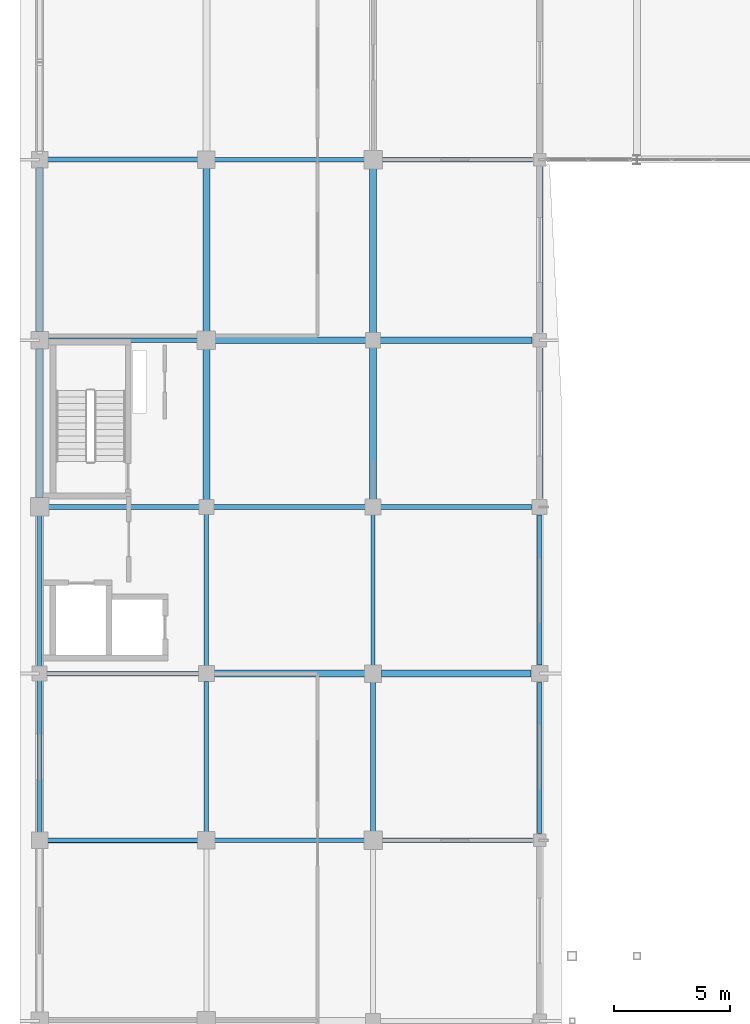
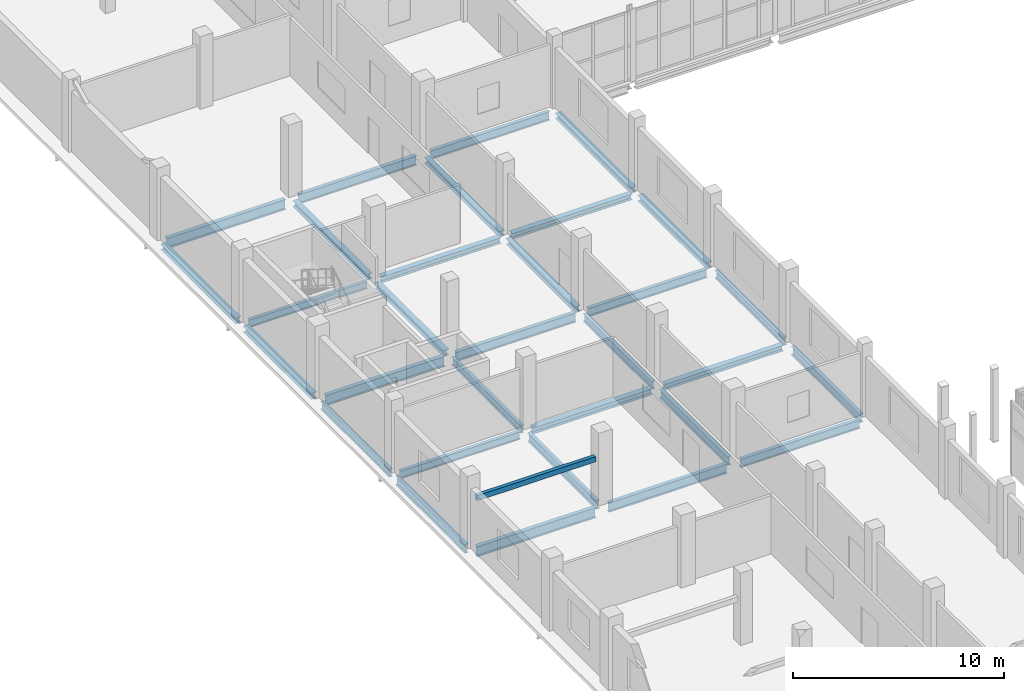
# One storey, part 53 of 121: 32 beams.
"""IFC4 building model written with IfcOpenShell, lengths in metres."""

from ifc_helpers import new_model, si_unit, direction, frame, origin, origin_2d, place, context, subcontext, project, spatial, rectangle, i_section, extrude, material, material_profile, profile_set, type_object, element, save


model = new_model("IFC4")

# Units and contexts
model_context = context("Model", 3, precision=1e-05, world=origin(), true_north=direction((0.0, 1.0)))
body_context = subcontext(model_context, "Body", "Model", "MODEL_VIEW")
ifc_project = project(units=[si_unit("LENGTHUNIT", "METRE"), si_unit("AREAUNIT", "SQUARE_METRE"), si_unit("VOLUMEUNIT", "CUBIC_METRE"), si_unit("PLANEANGLEUNIT", "RADIAN"), si_unit("MASSUNIT", "GRAM", prefix="KILO")], contexts=[model_context])

# Site, building, storey
site_placement = place(None, origin())
site = spatial("IfcSite", under=ifc_project, at=site_placement, CompositionType="ELEMENT")
building_placement = place(site_placement, origin())
building = spatial("IfcBuilding", under=site, at=building_placement, Name="Vinh Khe Railworks Police Headquarters", CompositionType="ELEMENT")
storey_placement = place(building_placement, frame((0.0, 0.0, 4.800048828125)))
storey = spatial("IfcBuildingStorey", under=building, at=storey_placement, Name="L01", CompositionType="ELEMENT", Elevation=4.800048828125)

# Beams
ifc_material_1 = material(Name="Concrete C35/45 (B35)", Category="concrete")
ifc_material_profile_1 = material_profile(ifc_material_1, rectangle(XDim=0.199951171875, YDim=0.300048828125, at=origin_2d()), Name="RC 200x300")
ifc_profile_set_1 = profile_set([ifc_material_profile_1], Name="Concrete C35/45 (B35)")
beam_type_1 = type_object("IfcBeamType", Name="RC Lintel Beam RC 200x300", PredefinedType="LINTEL", material=ifc_profile_set_1)
beam_1_placement = place(storey_placement, frame((0.929931640625, 66.60009765625, 2.550048828125), z_axis=(1.0, 0.0, 0.0), x_axis=(0.0, 1.0, 0.0)))
element("IfcBeam", 1, at=beam_1_placement, inside=storey, type_object=beam_type_1, Name="RC Portal Lintel 08", PredefinedType="LINTEL", context=body_context, shape_type="SweptSolid", body=[
    extrude(rectangle(XDim=0.199951171875, YDim=0.300048828125, at=origin_2d()), origin(), (0.0, 0.0, 1.0), 6.51513671875),
])
ifc_material_2 = material(Name="Steel S355JR", Category="steel")
ifc_material_profile_2 = material_profile(ifc_material_2, i_section(OverallWidth=0.300048828125, OverallDepth=0.330078125, WebThickness=0.009521484375, FlangeThickness=0.0166015625, FilletRadius=0.027099609375, at=origin_2d()), Name="HEA 340")
ifc_profile_set_2 = profile_set([ifc_material_profile_2], Name="Steel S355JR")
beam_type_2 = type_object("IfcBeamType", Name="Steel Girder HEA 340", PredefinedType="BEAM", material=ifc_profile_set_2)
beam_2_placement = place(storey_placement, frame((15.35498046875, 73.800048828125, -0.405029296875), z_axis=(1.0, 0.0, 0.0), x_axis=(0.0, 1.0, 0.0)))
element("IfcBeam", 2, at=beam_2_placement, inside=storey, type_object=beam_type_2, Name="Girder BM-L01-EW-SB-16-0470", PredefinedType="BEAM", context=body_context, shape_type="SweptSolid", body=[
    extrude(i_section(OverallWidth=0.300048828125, OverallDepth=0.330078125, WebThickness=0.009521484375, FlangeThickness=0.0166015625, FilletRadius=0.027099609375, at=origin_2d()), origin(), (0.0, 0.0, 1.0), 6.465087890625),
])
beam_3_placement = place(storey_placement, frame((15.304931640625, 88.199951171875, -0.405029296875), z_axis=(1.0, 0.0, 0.0), x_axis=(0.0, 1.0, 0.0)))
element("IfcBeam", 3, at=beam_3_placement, inside=storey, type_object=beam_type_2, Name="Girder BM-L01-EW-SB-16-0476", PredefinedType="BEAM", context=body_context, shape_type="SweptSolid", body=[
    extrude(i_section(OverallWidth=0.300048828125, OverallDepth=0.330078125, WebThickness=0.009521484375, FlangeThickness=0.0166015625, FilletRadius=0.027099609375, at=origin_2d()), origin(), (0.0, 0.0, 1.0), 6.565185546875),
])
beam_4_placement = place(storey_placement, frame((0.60009765625, 88.554931640625, -0.405029296875), z_axis=(0.0, 1.0, 0.0), x_axis=(-1.0, 0.0, 0.0)))
element("IfcBeam", 4, at=beam_4_placement, inside=storey, type_object=beam_type_2, Name="Girder BM-L01-NS-SB-16-0572", PredefinedType="BEAM", context=body_context, shape_type="SweptSolid", body=[
    extrude(i_section(OverallWidth=0.300048828125, OverallDepth=0.330078125, WebThickness=0.009521484375, FlangeThickness=0.0166015625, FilletRadius=0.027099609375, at=origin_2d()), origin(), (0.0, 0.0, 1.0), 7.114990234375),
])
beam_5_placement = place(storey_placement, frame((7.800048828125, 88.580078125, -0.405029296875), z_axis=(0.0, 1.0, 0.0), x_axis=(-1.0, 0.0, 0.0)))
element("IfcBeam", 5, at=beam_5_placement, inside=storey, type_object=beam_type_2, Name="Girder BM-L01-NS-SB-16-0590", PredefinedType="BEAM", context=body_context, shape_type="SweptSolid", body=[
    extrude(i_section(OverallWidth=0.300048828125, OverallDepth=0.330078125, WebThickness=0.009521484375, FlangeThickness=0.0166015625, FilletRadius=0.027099609375, at=origin_2d()), origin(), (0.0, 0.0, 1.0), 7.06494140625),
])
beam_6_placement = place(storey_placement, frame((15.0, 88.5048828125, -0.405029296875), z_axis=(0.0, 1.0, 0.0), x_axis=(-1.0, 0.0, 0.0)))
element("IfcBeam", 6, at=beam_6_placement, inside=storey, type_object=beam_type_2, Name="Girder BM-L01-NS-SB-16-0608", PredefinedType="BEAM", context=body_context, shape_type="SweptSolid", body=[
    extrude(i_section(OverallWidth=0.300048828125, OverallDepth=0.330078125, WebThickness=0.009521484375, FlangeThickness=0.0166015625, FilletRadius=0.027099609375, at=origin_2d()), origin(), (0.0, 0.0, 1.0), 7.115234375),
])
beam_7_placement = place(storey_placement, frame((22.199951171875, 88.530029296875, -0.405029296875), z_axis=(0.0, 1.0, 0.0), x_axis=(-1.0, 0.0, 0.0)))
element("IfcBeam", 7, at=beam_7_placement, inside=storey, type_object=beam_type_2, Name="Girder BM-L01-NS-SB-16-0626", PredefinedType="BEAM", context=body_context, shape_type="SweptSolid", body=[
    extrude(i_section(OverallWidth=0.300048828125, OverallDepth=0.330078125, WebThickness=0.009521484375, FlangeThickness=0.0166015625, FilletRadius=0.027099609375, at=origin_2d()), origin(), (0.0, 0.0, 1.0), 7.1650390625),
])
ifc_material_profile_3 = material_profile(ifc_material_2, i_section(OverallWidth=0.300048828125, OverallDepth=0.35009765625, WebThickness=0.010009765625, FlangeThickness=0.017578125, FilletRadius=0.027099609375, at=origin_2d()), Name="HEA 360")
ifc_profile_set_3 = profile_set([ifc_material_profile_3], Name="Steel S355JR")
beam_type_3 = type_object("IfcBeamType", Name="Steel Girder HEA 360", PredefinedType="BEAM", material=ifc_profile_set_3)
for number, where, z_axis, x_axis, name in (
    (8, (8.1298828125, 73.800048828125, -0.4150390625), (1.0, 0.0, 0.0), (0.0, 1.0, 0.0), "Girder BM-L01-EW-SB-15-0469"),
    (9, (8.179931640625, 88.199951171875, -0.4150390625), (1.0, 0.0, 0.0), (0.0, 1.0, 0.0), "Girder BM-L01-EW-SB-15-0475"),
):
    element("IfcBeam", number, at=place(storey_placement, frame(where, z_axis=z_axis, x_axis=x_axis)), inside=storey, type_object=beam_type_3, Name=name, PredefinedType="BEAM", context=body_context, shape_type="SweptSolid", body=[
        extrude(i_section(OverallWidth=0.300048828125, OverallDepth=0.35009765625, WebThickness=0.010009765625, FlangeThickness=0.017578125, FilletRadius=0.027099609375, at=origin_2d()), origin(), (0.0, 0.0, 1.0), 6.51513671875),
    ])
beam_8_placement = place(storey_placement, frame((0.60009765625, 81.3798828125, -0.4150390625), z_axis=(0.0, 1.0, 0.0), x_axis=(-1.0, 0.0, 0.0)))
element("IfcBeam", 10, at=beam_8_placement, inside=storey, type_object=beam_type_3, Name="Girder BM-L01-NS-SB-15-0571", PredefinedType="BEAM", context=body_context, shape_type="SweptSolid", body=[
    extrude(i_section(OverallWidth=0.300048828125, OverallDepth=0.35009765625, WebThickness=0.010009765625, FlangeThickness=0.017578125, FilletRadius=0.027099609375, at=origin_2d()), origin(), (0.0, 0.0, 1.0), 6.465087890625),
])
beam_9_placement = place(storey_placement, frame((7.800048828125, 81.304931640625, -0.4150390625), z_axis=(0.0, 1.0, 0.0), x_axis=(-1.0, 0.0, 0.0)))
element("IfcBeam", 11, at=beam_9_placement, inside=storey, type_object=beam_type_3, Name="Girder BM-L01-NS-SB-15-0589", PredefinedType="BEAM", context=body_context, shape_type="SweptSolid", body=[
    extrude(i_section(OverallWidth=0.300048828125, OverallDepth=0.35009765625, WebThickness=0.010009765625, FlangeThickness=0.017578125, FilletRadius=0.027099609375, at=origin_2d()), origin(), (0.0, 0.0, 1.0), 6.51513671875),
])
beam_10_placement = place(storey_placement, frame((15.0, 81.330078125, -0.4150390625), z_axis=(0.0, 1.0, 0.0), x_axis=(-1.0, 0.0, 0.0)))
element("IfcBeam", 12, at=beam_10_placement, inside=storey, type_object=beam_type_3, Name="Girder BM-L01-NS-SB-15-0607", PredefinedType="BEAM", context=body_context, shape_type="SweptSolid", body=[
    extrude(i_section(OverallWidth=0.300048828125, OverallDepth=0.35009765625, WebThickness=0.010009765625, FlangeThickness=0.017578125, FilletRadius=0.027099609375, at=origin_2d()), origin(), (0.0, 0.0, 1.0), 6.56494140625),
])
beam_11_placement = place(storey_placement, frame((22.199951171875, 81.35498046875, -0.4150390625), z_axis=(0.0, 1.0, 0.0), x_axis=(-1.0, 0.0, 0.0)))
element("IfcBeam", 13, at=beam_11_placement, inside=storey, type_object=beam_type_3, Name="Girder BM-L01-NS-SB-15-0625", PredefinedType="BEAM", context=body_context, shape_type="SweptSolid", body=[
    extrude(i_section(OverallWidth=0.300048828125, OverallDepth=0.35009765625, WebThickness=0.010009765625, FlangeThickness=0.017578125, FilletRadius=0.027099609375, at=origin_2d()), origin(), (0.0, 0.0, 1.0), 6.51513671875),
])
ifc_material_profile_4 = material_profile(ifc_material_2, i_section(OverallWidth=0.18994140625, OverallDepth=0.449951171875, WebThickness=0.009521484375, FlangeThickness=0.0146484375, FilletRadius=0.02099609375, at=origin_2d()), Name="IPE 450")
ifc_profile_set_4 = profile_set([ifc_material_profile_4], Name="Steel S355JR")
beam_type_4 = type_object("IfcBeamType", Name="Steel Girder IPE 450", PredefinedType="BEAM", material=ifc_profile_set_4)
beam_12_placement = place(storey_placement, frame((0.905029296875, 73.800048828125, -0.465087890625), z_axis=(1.0, 0.0, 0.0), x_axis=(0.0, 1.0, 0.0)))
element("IfcBeam", 14, at=beam_12_placement, inside=storey, type_object=beam_type_4, Name="Girder BM-L01-EW-SB-20-0468", PredefinedType="BEAM", context=body_context, shape_type="SweptSolid", body=[
    extrude(i_section(OverallWidth=0.18994140625, OverallDepth=0.449951171875, WebThickness=0.009521484375, FlangeThickness=0.0146484375, FilletRadius=0.02099609375, at=origin_2d()), origin(), (0.0, 0.0, 1.0), 6.56494140625),
])
beam_13_placement = place(storey_placement, frame((0.955078125, 88.199951171875, -0.465087890625), z_axis=(1.0, 0.0, 0.0), x_axis=(0.0, 1.0, 0.0)))
element("IfcBeam", 15, at=beam_13_placement, inside=storey, type_object=beam_type_4, Name="Girder BM-L01-EW-SB-20-0474", PredefinedType="BEAM", context=body_context, shape_type="SweptSolid", body=[
    extrude(i_section(OverallWidth=0.18994140625, OverallDepth=0.449951171875, WebThickness=0.009521484375, FlangeThickness=0.0146484375, FilletRadius=0.02099609375, at=origin_2d()), origin(), (0.0, 0.0, 1.0), 6.46484375),
])
beam_14_placement = place(storey_placement, frame((0.60009765625, 74.10498046875, -0.465087890625), z_axis=(0.0, 1.0, 0.0), x_axis=(-1.0, 0.0, 0.0)))
element("IfcBeam", 16, at=beam_14_placement, inside=storey, type_object=beam_type_4, Name="Girder BM-L01-NS-SB-20-0570", PredefinedType="BEAM", context=body_context, shape_type="SweptSolid", body=[
    extrude(i_section(OverallWidth=0.18994140625, OverallDepth=0.449951171875, WebThickness=0.009521484375, FlangeThickness=0.0146484375, FilletRadius=0.02099609375, at=origin_2d()), origin(), (0.0, 0.0, 1.0), 6.51513671875),
])
beam_15_placement = place(storey_placement, frame((7.800048828125, 74.1298828125, -0.465087890625), z_axis=(0.0, 1.0, 0.0), x_axis=(-1.0, 0.0, 0.0)))
element("IfcBeam", 17, at=beam_15_placement, inside=storey, type_object=beam_type_4, Name="Girder BM-L01-NS-SB-20-0588", PredefinedType="BEAM", context=body_context, shape_type="SweptSolid", body=[
    extrude(i_section(OverallWidth=0.18994140625, OverallDepth=0.449951171875, WebThickness=0.009521484375, FlangeThickness=0.0146484375, FilletRadius=0.02099609375, at=origin_2d()), origin(), (0.0, 0.0, 1.0), 6.565185546875),
])
beam_16_placement = place(storey_placement, frame((15.0, 74.155029296875, -0.465087890625), z_axis=(0.0, 1.0, 0.0), x_axis=(-1.0, 0.0, 0.0)))
element("IfcBeam", 18, at=beam_16_placement, inside=storey, type_object=beam_type_4, Name="Girder BM-L01-NS-SB-20-0606", PredefinedType="BEAM", context=body_context, shape_type="SweptSolid", body=[
    extrude(i_section(OverallWidth=0.18994140625, OverallDepth=0.449951171875, WebThickness=0.009521484375, FlangeThickness=0.0146484375, FilletRadius=0.02099609375, at=origin_2d()), origin(), (0.0, 0.0, 1.0), 6.514892578125),
])
beam_17_placement = place(storey_placement, frame((22.199951171875, 74.179931640625, -0.465087890625), z_axis=(0.0, 1.0, 0.0), x_axis=(-1.0, 0.0, 0.0)))
element("IfcBeam", 19, at=beam_17_placement, inside=storey, type_object=beam_type_4, Name="Girder BM-L01-NS-SB-20-0624", PredefinedType="BEAM", context=body_context, shape_type="SweptSolid", body=[
    extrude(i_section(OverallWidth=0.18994140625, OverallDepth=0.449951171875, WebThickness=0.009521484375, FlangeThickness=0.0146484375, FilletRadius=0.02099609375, at=origin_2d()), origin(), (0.0, 0.0, 1.0), 6.465087890625),
])
ifc_material_profile_5 = material_profile(ifc_material_2, i_section(OverallWidth=0.199951171875, OverallDepth=0.5, WebThickness=0.01025390625, FlangeThickness=0.01611328125, FilletRadius=0.02099609375, at=origin_2d()), Name="IPE 500")
ifc_profile_set_5 = profile_set([ifc_material_profile_5], Name="Steel S355JR")
beam_type_5 = type_object("IfcBeamType", Name="Steel Girder IPE 500", PredefinedType="BEAM", material=ifc_profile_set_5)
beam_18_placement = place(storey_placement, frame((15.3798828125, 66.60009765625, -0.489990234375), z_axis=(1.0, 0.0, 0.0), x_axis=(0.0, 1.0, 0.0)))
element("IfcBeam", 20, at=beam_18_placement, inside=storey, type_object=beam_type_5, Name="Girder BM-L01-EW-SB-19-0467", PredefinedType="BEAM", context=body_context, shape_type="SweptSolid", body=[
    extrude(i_section(OverallWidth=0.199951171875, OverallDepth=0.5, WebThickness=0.01025390625, FlangeThickness=0.01611328125, FilletRadius=0.02099609375, at=origin_2d()), origin(), (0.0, 0.0, 1.0), 6.51513671875),
])
beam_19_placement = place(storey_placement, frame((15.330078125, 81.0, -0.489990234375), z_axis=(1.0, 0.0, 0.0), x_axis=(0.0, 1.0, 0.0)))
element("IfcBeam", 21, at=beam_19_placement, inside=storey, type_object=beam_type_5, Name="Girder BM-L01-EW-SB-19-0473", PredefinedType="BEAM", context=body_context, shape_type="SweptSolid", body=[
    extrude(i_section(OverallWidth=0.199951171875, OverallDepth=0.5, WebThickness=0.01025390625, FlangeThickness=0.01611328125, FilletRadius=0.02099609375, at=origin_2d()), origin(), (0.0, 0.0, 1.0), 6.514892578125),
])
beam_20_placement = place(storey_placement, frame((15.3798828125, 96.0, -0.489990234375), z_axis=(1.0, 0.0, 0.0), x_axis=(0.0, 1.0, 0.0)))
element("IfcBeam", 22, at=beam_20_placement, inside=storey, type_object=beam_type_5, Name="Girder BM-L01-EW-SB-19-0479", PredefinedType="BEAM", context=body_context, shape_type="SweptSolid", body=[
    extrude(i_section(OverallWidth=0.199951171875, OverallDepth=0.5, WebThickness=0.01025390625, FlangeThickness=0.01611328125, FilletRadius=0.02099609375, at=origin_2d()), origin(), (0.0, 0.0, 1.0), 6.51513671875),
])
beam_21_placement = place(storey_placement, frame((0.60009765625, 66.929931640625, -0.489990234375), z_axis=(0.0, 1.0, 0.0), x_axis=(-1.0, 0.0, 0.0)))
element("IfcBeam", 23, at=beam_21_placement, inside=storey, type_object=beam_type_5, Name="Girder BM-L01-NS-SB-19-0569", PredefinedType="BEAM", context=body_context, shape_type="SweptSolid", body=[
    extrude(i_section(OverallWidth=0.199951171875, OverallDepth=0.5, WebThickness=0.01025390625, FlangeThickness=0.01611328125, FilletRadius=0.02099609375, at=origin_2d()), origin(), (0.0, 0.0, 1.0), 6.565185546875),
])
beam_22_placement = place(storey_placement, frame((7.800048828125, 66.955078125, -0.489990234375), z_axis=(0.0, 1.0, 0.0), x_axis=(-1.0, 0.0, 0.0)))
element("IfcBeam", 24, at=beam_22_placement, inside=storey, type_object=beam_type_5, Name="Girder BM-L01-NS-SB-19-0587", PredefinedType="BEAM", context=body_context, shape_type="SweptSolid", body=[
    extrude(i_section(OverallWidth=0.199951171875, OverallDepth=0.5, WebThickness=0.01025390625, FlangeThickness=0.01611328125, FilletRadius=0.02099609375, at=origin_2d()), origin(), (0.0, 0.0, 1.0), 6.514892578125),
])
beam_23_placement = place(storey_placement, frame((15.0, 66.97998046875, -0.489990234375), z_axis=(0.0, 1.0, 0.0), x_axis=(-1.0, 0.0, 0.0)))
element("IfcBeam", 25, at=beam_23_placement, inside=storey, type_object=beam_type_5, Name="Girder BM-L01-NS-SB-19-0605", PredefinedType="BEAM", context=body_context, shape_type="SweptSolid", body=[
    extrude(i_section(OverallWidth=0.199951171875, OverallDepth=0.5, WebThickness=0.01025390625, FlangeThickness=0.01611328125, FilletRadius=0.02099609375, at=origin_2d()), origin(), (0.0, 0.0, 1.0), 6.465087890625),
])
beam_24_placement = place(storey_placement, frame((22.199951171875, 66.905029296875, -0.489990234375), z_axis=(0.0, 1.0, 0.0), x_axis=(-1.0, 0.0, 0.0)))
element("IfcBeam", 26, at=beam_24_placement, inside=storey, type_object=beam_type_5, Name="Girder BM-L01-NS-SB-19-0623", PredefinedType="BEAM", context=body_context, shape_type="SweptSolid", body=[
    extrude(i_section(OverallWidth=0.199951171875, OverallDepth=0.5, WebThickness=0.01025390625, FlangeThickness=0.01611328125, FilletRadius=0.02099609375, at=origin_2d()), origin(), (0.0, 0.0, 1.0), 6.514892578125),
])
ifc_material_profile_6 = material_profile(ifc_material_2, i_section(OverallWidth=0.2099609375, OverallDepth=0.550048828125, WebThickness=0.010986328125, FlangeThickness=0.01708984375, FilletRadius=0.02392578125, at=origin_2d()), Name="IPE 550")
ifc_profile_set_6 = profile_set([ifc_material_profile_6], Name="Steel S355JR")
beam_type_6 = type_object("IfcBeamType", Name="Steel Girder IPE 550", PredefinedType="BEAM", material=ifc_profile_set_6)
beam_25_placement = place(storey_placement, frame((8.155029296875, 66.60009765625, -0.51513671875), z_axis=(1.0, 0.0, 0.0), x_axis=(0.0, 1.0, 0.0)))
element("IfcBeam", 27, at=beam_25_placement, inside=storey, type_object=beam_type_6, Name="Girder BM-L01-EW-SB-18-0466", PredefinedType="BEAM", context=body_context, shape_type="SweptSolid", body=[
    extrude(i_section(OverallWidth=0.2099609375, OverallDepth=0.550048828125, WebThickness=0.010986328125, FlangeThickness=0.01708984375, FilletRadius=0.02392578125, at=origin_2d()), origin(), (0.0, 0.0, 1.0), 6.465087890625),
])
beam_26_placement = place(storey_placement, frame((8.10498046875, 81.0, -0.51513671875), z_axis=(1.0, 0.0, 0.0), x_axis=(0.0, 1.0, 0.0)))
element("IfcBeam", 28, at=beam_26_placement, inside=storey, type_object=beam_type_6, Name="Girder BM-L01-EW-SB-18-0472", PredefinedType="BEAM", context=body_context, shape_type="SweptSolid", body=[
    extrude(i_section(OverallWidth=0.2099609375, OverallDepth=0.550048828125, WebThickness=0.010986328125, FlangeThickness=0.01708984375, FilletRadius=0.02392578125, at=origin_2d()), origin(), (0.0, 0.0, 1.0), 6.56494140625),
])
beam_27_placement = place(storey_placement, frame((8.155029296875, 96.0, -0.51513671875), z_axis=(1.0, 0.0, 0.0), x_axis=(0.0, 1.0, 0.0)))
element("IfcBeam", 29, at=beam_27_placement, inside=storey, type_object=beam_type_6, Name="Girder BM-L01-EW-SB-18-0478", PredefinedType="BEAM", context=body_context, shape_type="SweptSolid", body=[
    extrude(i_section(OverallWidth=0.2099609375, OverallDepth=0.550048828125, WebThickness=0.010986328125, FlangeThickness=0.01708984375, FilletRadius=0.02392578125, at=origin_2d()), origin(), (0.0, 0.0, 1.0), 6.465087890625),
])
ifc_material_profile_7 = material_profile(ifc_material_2, i_section(OverallWidth=0.219970703125, OverallDepth=0.60009765625, WebThickness=0.011962890625, FlangeThickness=0.01904296875, FilletRadius=0.02392578125, at=origin_2d()), Name="IPE 600")
ifc_profile_set_7 = profile_set([ifc_material_profile_7], Name="Steel S355JR")
beam_type_7 = type_object("IfcBeamType", Name="Steel Girder IPE 600", PredefinedType="BEAM", material=ifc_profile_set_7)
for number, where, z_axis, x_axis, name in (
    (30, (0.929931640625, 66.60009765625, -0.5400390625), (1.0, 0.0, 0.0), (0.0, 1.0, 0.0), "Girder BM-L01-EW-SB-17-0465"),
    (31, (0.97998046875, 81.0, -0.5400390625), (1.0, 0.0, 0.0), (0.0, 1.0, 0.0), "Girder BM-L01-EW-SB-17-0471"),
    (32, (0.929931640625, 96.0, -0.5400390625), (1.0, 0.0, 0.0), (0.0, 1.0, 0.0), "Girder BM-L01-EW-SB-17-0477"),
):
    element("IfcBeam", number, at=place(storey_placement, frame(where, z_axis=z_axis, x_axis=x_axis)), inside=storey, type_object=beam_type_7, Name=name, PredefinedType="BEAM", context=body_context, shape_type="SweptSolid", body=[
        extrude(i_section(OverallWidth=0.219970703125, OverallDepth=0.60009765625, WebThickness=0.011962890625, FlangeThickness=0.01904296875, FilletRadius=0.02392578125, at=origin_2d()), origin(), (0.0, 0.0, 1.0), 6.51513671875),
    ])

save(model, "model.ifc")
